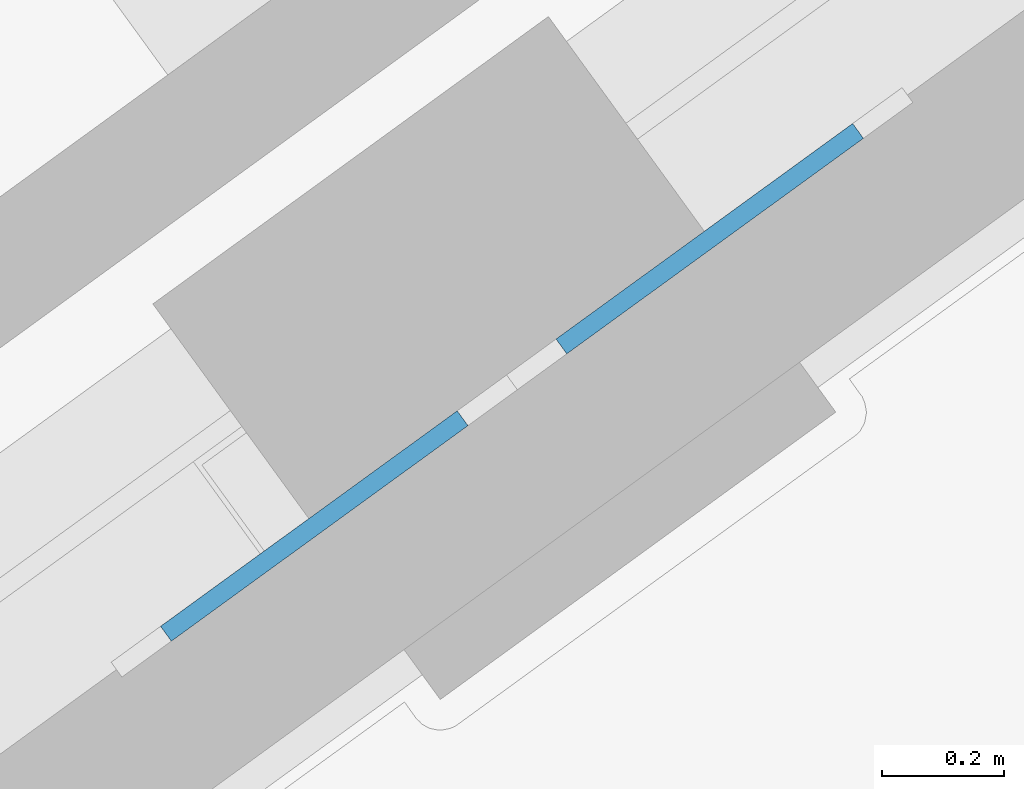
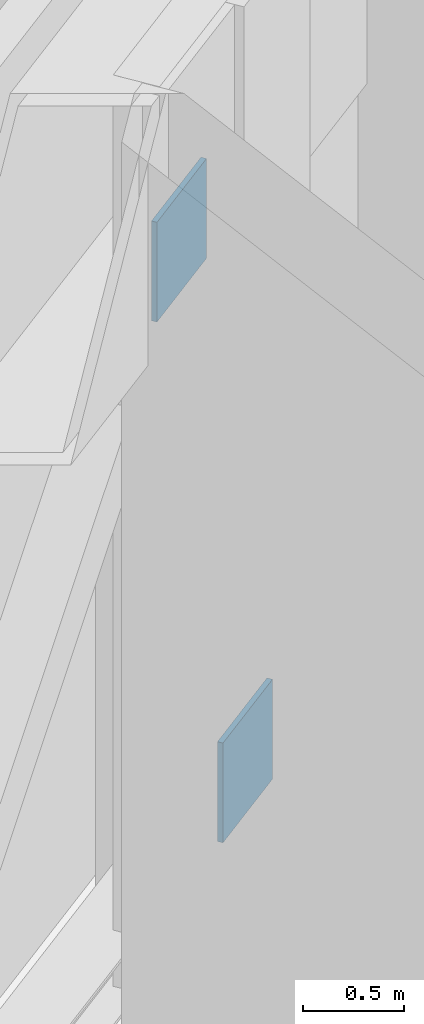
# One storey, part 7 of 15: 2 plates.
"""IFC4 building model written with IfcOpenShell, lengths in metres."""

from ifc_helpers import new_model, si_unit, direction, frame, origin, origin_2d, place, context, subcontext, project, spatial, rectangle, extrude, material, layer, layer_set, type_object, element, save


model = new_model("IFC4")

# Units and contexts
model_context = context("Model", 3, precision=1e-05, world=origin(), true_north=direction((0.0, 1.0)))
body_context = subcontext(model_context, "Body", "Model", "MODEL_VIEW")
ifc_project = project(units=[si_unit("LENGTHUNIT", "METRE"), si_unit("AREAUNIT", "SQUARE_METRE"), si_unit("VOLUMEUNIT", "CUBIC_METRE"), si_unit("PLANEANGLEUNIT", "RADIAN"), si_unit("MASSUNIT", "GRAM", prefix="KILO")], contexts=[model_context])

# Site, building, storey
site_placement = place(None, origin())
site = spatial("IfcSite", under=ifc_project, at=site_placement, CompositionType="ELEMENT")
building_placement = place(site_placement, origin())
building = spatial("IfcBuilding", under=site, at=building_placement, Name="Quipu Civic Tower", CompositionType="ELEMENT")
storey_placement = place(building_placement, frame((0.0, 0.0, 242.0)))
storey = spatial("IfcBuildingStorey", under=building, at=storey_placement, Name="L57", CompositionType="ELEMENT", Elevation=242.0)

# Plates
ifc_material = material(Name="Steel ASTM A572 Grade 50 (fy 345 MPa)", Category="steel")
ifc_layer = layer(ifc_material, 0.030029296875)
ifc_layer_set = layer_set([ifc_layer], Name="Steel ASTM A572 Grade 50 (fy 345 MPa)")
plate_type = type_object("IfcPlateType", Name="Cast in plate TD3", PredefinedType="SHEET", material=ifc_layer_set)
for number, where, z_axis, x_axis, name in (
    (1, (-32.284423828125, 17.58837890625, 0.156005859375), (0.0, 0.0, 1.0), (0.80902725304, 0.587771132193, 0.0), "Cast-in plate TD3 L57 051"),
    (2, (-32.931640625, 17.1181640625, 3.800048828125), (0.0, 0.0, 1.0), (0.80902725304, 0.587771132193, 0.0), "Cast-in plate TD3 L57 054"),
):
    element("IfcPlate", number, at=place(storey_placement, frame(where, z_axis=z_axis, x_axis=x_axis)), inside=storey, type_object=plate_type, Name=name, PredefinedType="SHEET", context=body_context, shape_type="SweptSolid", body=[
        extrude(rectangle(XDim=0.60009765625, YDim=0.030029296875, at=origin_2d()), origin(), (0.0, 0.0, 1.0), 0.60009765625),
    ])

save(model, "model.ifc")
